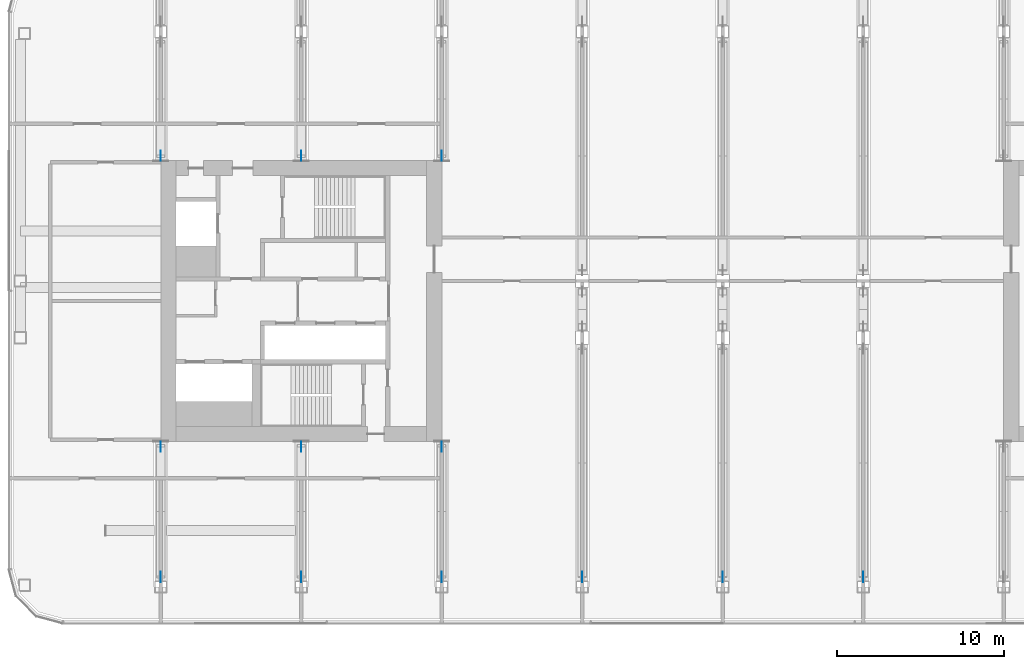
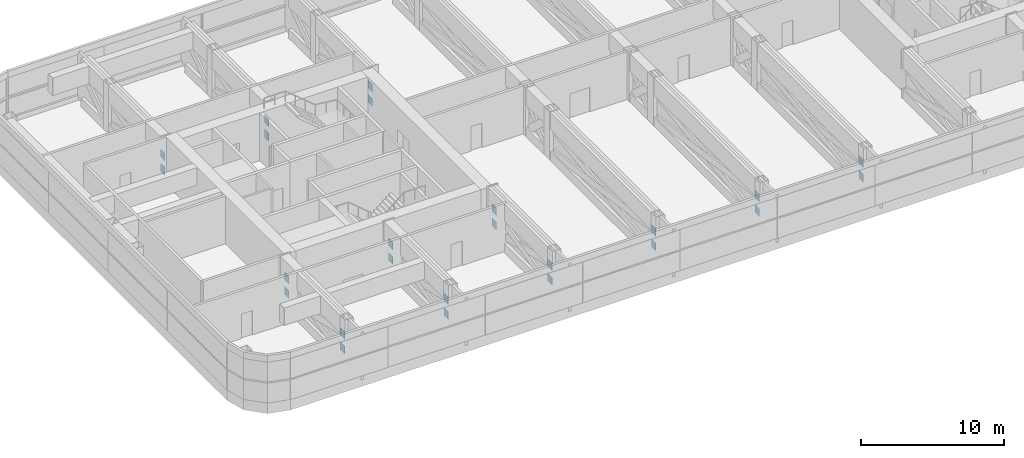
# One storey, part 24 of 33: 24 discrete accessories.
"""IFC4 building model written with IfcOpenShell, lengths in metres."""

from ifc_helpers import new_model, si_unit, direction, frame, origin, origin_2d, place, context, subcontext, project, spatial, rectangle, extrude, material, material_profile, profile_set, type_object, element, save


model = new_model("IFC4")

# Units and contexts
model_context = context("Model", 3, precision=1e-05, world=origin(), true_north=direction((0.0, 1.0)))
body_context = subcontext(model_context, "Body", "Model", "MODEL_VIEW")
ifc_project = project(units=[si_unit("LENGTHUNIT", "METRE"), si_unit("AREAUNIT", "SQUARE_METRE"), si_unit("VOLUMEUNIT", "CUBIC_METRE"), si_unit("PLANEANGLEUNIT", "RADIAN"), si_unit("MASSUNIT", "GRAM", prefix="KILO")], contexts=[model_context])

# Site, building, storey
site_placement = place(None, origin())
site = spatial("IfcSite", under=ifc_project, at=site_placement, CompositionType="ELEMENT")
building_placement = place(site_placement, origin())
building = spatial("IfcBuilding", under=site, at=building_placement, Name="Hakoniwa Tower and Hamabe Station Hall", CompositionType="ELEMENT")
storey_placement = place(building_placement, frame((0.0, 0.0, 175.800048828125)))
storey = spatial("IfcBuildingStorey", under=building, at=storey_placement, Name="L50", CompositionType="ELEMENT", Elevation=175.800048828125)

# Discrete accessories
ifc_material = material(Name="Steel SN490C", Category="steel")
ifc_material_profile = material_profile(ifc_material, rectangle(XDim=0.60009765625, YDim=0.659912109375, at=origin_2d()), Name="GUSSET PLATE BX-600x500x28")
ifc_profile_set = profile_set([ifc_material_profile], Name="Steel SN490C")
discrete_accessory_type = type_object("IfcDiscreteAccessoryType", Name="GUSSET PLATE BX-600x500x28", PredefinedType="USERDEFINED", material=ifc_profile_set)
for number, where, z_axis, x_axis, name in (
    (1, (-33.58740234375, -16.5, 1.030029296875), (-1.0, 0.0, 0.0), (0.0, -1.0, 0.0), "Gusset plate T3-005-D01A"),
    (2, (-33.58740234375, -8.699951171875, 2.27001953125), (-1.0, 0.0, 0.0), (0.0, -1.0, 0.0), "Gusset plate T3-005-D01A"),
    (3, (-33.58740234375, -16.5, 2.27001953125), (-1.0, 0.0, 0.0), (0.0, -1.0, 0.0), "Gusset plate T3-005-D01B"),
    (4, (-33.58740234375, -8.699951171875, 1.030029296875), (-1.0, 0.0, 0.0), (0.0, -1.0, 0.0), "Gusset plate T3-005-D01B"),
    (5, (-33.58740234375, 8.699951171875, 1.030029296875), (-1.0, 0.0, 0.0), (0.0, -1.0, 0.0), "Gusset plate T3-006-D01A"),
    (6, (-33.58740234375, 8.699951171875, 2.27001953125), (-1.0, 0.0, 0.0), (0.0, -1.0, 0.0), "Gusset plate T3-006-D01B"),
):
    element("IfcDiscreteAccessory", number, at=place(storey_placement, frame(where, z_axis=z_axis, x_axis=x_axis)), inside=storey, type_object=discrete_accessory_type, Name=name, ObjectType="GUSSET PLATE", PredefinedType="USERDEFINED", context=body_context, shape_type="SweptSolid", body=[
        extrude(rectangle(XDim=0.60009765625, YDim=0.659912109375, at=origin_2d()), origin(), (0.0, 0.0, 1.0), 0.025146484375),
    ])
for number, where, z_axis, x_axis, name in (
    (7, (-25.1875, -16.5, 1.030029296875), (-1.0, 0.0, 0.0), (0.0, -1.0, 0.0), "Gusset plate T3-007-D01A"),
    (8, (-25.1875, -8.699951171875, 2.27001953125), (-1.0, 0.0, 0.0), (0.0, -1.0, 0.0), "Gusset plate T3-007-D01A"),
    (9, (-25.1875, -16.5, 2.27001953125), (-1.0, 0.0, 0.0), (0.0, -1.0, 0.0), "Gusset plate T3-007-D01B"),
    (10, (-25.1875, -8.699951171875, 1.030029296875), (-1.0, 0.0, 0.0), (0.0, -1.0, 0.0), "Gusset plate T3-007-D01B"),
    (11, (-25.1875, 8.699951171875, 1.030029296875), (-1.0, 0.0, 0.0), (0.0, -1.0, 0.0), "Gusset plate T3-008-D01A"),
    (12, (-25.1875, 8.699951171875, 2.27001953125), (-1.0, 0.0, 0.0), (0.0, -1.0, 0.0), "Gusset plate T3-008-D01B"),
    (13, (-16.78759765625, -16.5, 1.030029296875), (-1.0, 0.0, 0.0), (0.0, -1.0, 0.0), "Gusset plate T3-009-D01A"),
    (14, (-16.78759765625, -8.699951171875, 2.27001953125), (-1.0, 0.0, 0.0), (0.0, -1.0, 0.0), "Gusset plate T3-009-D01A"),
    (15, (-16.78759765625, -16.5, 2.27001953125), (-1.0, 0.0, 0.0), (0.0, -1.0, 0.0), "Gusset plate T3-009-D01B"),
    (16, (-16.78759765625, -8.699951171875, 1.030029296875), (-1.0, 0.0, 0.0), (0.0, -1.0, 0.0), "Gusset plate T3-009-D01B"),
    (17, (-16.78759765625, 8.699951171875, 1.030029296875), (-1.0, 0.0, 0.0), (0.0, -1.0, 0.0), "Gusset plate T3-010-D01A"),
    (18, (-16.78759765625, 8.699951171875, 2.27001953125), (-1.0, 0.0, 0.0), (0.0, -1.0, 0.0), "Gusset plate T3-010-D01B"),
):
    element("IfcDiscreteAccessory", number, at=place(storey_placement, frame(where, z_axis=z_axis, x_axis=x_axis)), inside=storey, type_object=discrete_accessory_type, Name=name, ObjectType="GUSSET PLATE", PredefinedType="USERDEFINED", context=body_context, shape_type="SweptSolid", body=[
        extrude(rectangle(XDim=0.60009765625, YDim=0.659912109375, at=origin_2d()), origin(), (0.0, 0.0, 1.0), 0.02490234375),
    ])
for number, where, z_axis, x_axis, name in (
    (19, (-8.387451171875, -16.5, 1.030029296875), (-1.0, 0.0, 0.0), (0.0, -1.0, 0.0), "Gusset plate T3-011-D01A"),
    (20, (-8.387451171875, -16.5, 2.27001953125), (-1.0, 0.0, 0.0), (0.0, -1.0, 0.0), "Gusset plate T3-011-D01B"),
):
    element("IfcDiscreteAccessory", number, at=place(storey_placement, frame(where, z_axis=z_axis, x_axis=x_axis)), inside=storey, type_object=discrete_accessory_type, Name=name, ObjectType="GUSSET PLATE", PredefinedType="USERDEFINED", context=body_context, shape_type="SweptSolid", body=[
        extrude(rectangle(XDim=0.60009765625, YDim=0.659912109375, at=origin_2d()), origin(), (0.0, 0.0, 1.0), 0.025146484375),
    ])
for number, where, z_axis, x_axis, name in (
    (21, (0.012451171875, -16.5, 1.030029296875), (-1.0, 0.0, 0.0), (0.0, -1.0, 0.0), "Gusset plate T3-012-D01A"),
    (22, (0.012451171875, -16.5, 2.27001953125), (-1.0, 0.0, 0.0), (0.0, -1.0, 0.0), "Gusset plate T3-012-D01B"),
):
    element("IfcDiscreteAccessory", number, at=place(storey_placement, frame(where, z_axis=z_axis, x_axis=x_axis)), inside=storey, type_object=discrete_accessory_type, Name=name, ObjectType="GUSSET PLATE", PredefinedType="USERDEFINED", context=body_context, shape_type="SweptSolid", body=[
        extrude(rectangle(XDim=0.60009765625, YDim=0.659912109375, at=origin_2d()), origin(), (0.0, 0.0, 1.0), 0.02490234375),
    ])
for number, where, z_axis, x_axis, name in (
    (23, (8.41259765625, -16.5, 1.030029296875), (-1.0, 0.0, 0.0), (0.0, -1.0, 0.0), "Gusset plate T3-013-D01A"),
    (24, (8.41259765625, -16.5, 2.27001953125), (-1.0, 0.0, 0.0), (0.0, -1.0, 0.0), "Gusset plate T3-013-D01B"),
):
    element("IfcDiscreteAccessory", number, at=place(storey_placement, frame(where, z_axis=z_axis, x_axis=x_axis)), inside=storey, type_object=discrete_accessory_type, Name=name, ObjectType="GUSSET PLATE", PredefinedType="USERDEFINED", context=body_context, shape_type="SweptSolid", body=[
        extrude(rectangle(XDim=0.60009765625, YDim=0.659912109375, at=origin_2d()), origin(), (0.0, 0.0, 1.0), 0.025146484375),
    ])

save(model, "model.ifc")
